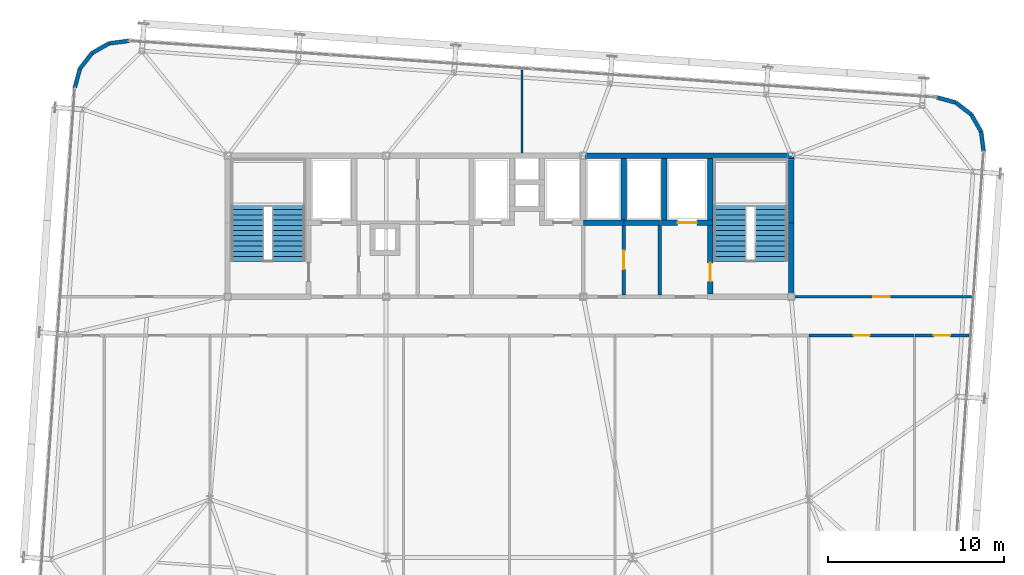
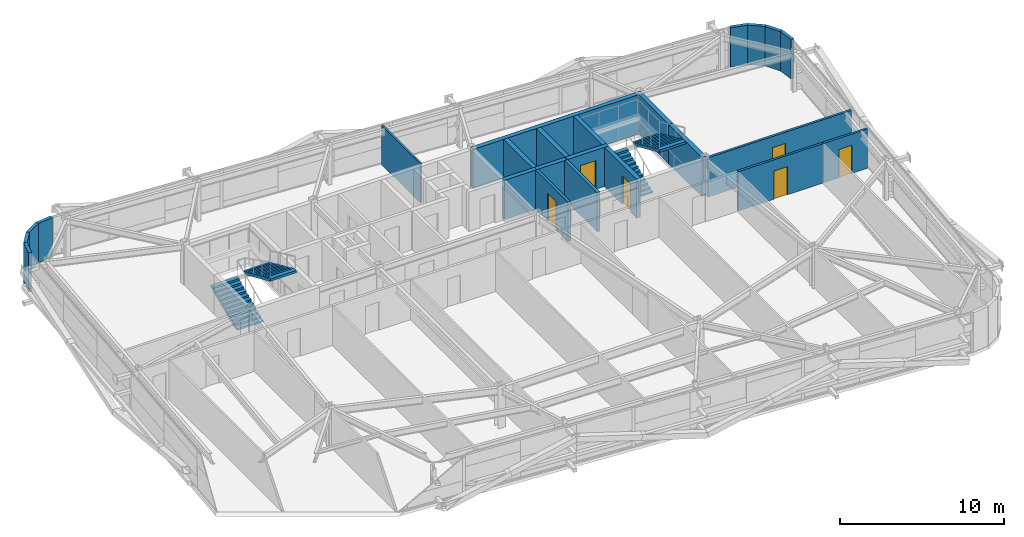
# One storey, part 37 of 39: 24 walls, 6 doors, 4 stair flights, 6 openings, 2 elements without a shape of their own.
"""IFC4 building model written with IfcOpenShell, lengths in metres."""

from ifc_helpers import new_model, si_unit, direction, frame, frame_2d, origin, place, context, subcontext, project, spatial, polyline, rectangle, outline, extrude, source, transform, mapped, material, layer, layer_set, type_object, element, fill, aggregate, save


model = new_model("IFC4")

# Units and contexts
model_context = context("Model", 3, precision=1e-05, world=origin(), true_north=direction((0.0, 1.0)))
body_context = subcontext(model_context, "Body", "Model", "MODEL_VIEW")
ifc_project = project(units=[si_unit("LENGTHUNIT", "METRE"), si_unit("AREAUNIT", "SQUARE_METRE"), si_unit("VOLUMEUNIT", "CUBIC_METRE"), si_unit("PLANEANGLEUNIT", "RADIAN"), si_unit("MASSUNIT", "GRAM", prefix="KILO")], contexts=[model_context])

# Site, building, storey
site_placement = place(None, origin())
site = spatial("IfcSite", under=ifc_project, at=site_placement, CompositionType="ELEMENT")
building_placement = place(site_placement, origin())
building = spatial("IfcBuilding", under=site, at=building_placement, Name="Taldren Reach Tower", CompositionType="ELEMENT")
storey_placement = place(building_placement, frame((0.0, 0.0, 123.550048828125)))
storey = spatial("IfcBuildingStorey", under=building, at=storey_placement, Name="L37", CompositionType="ELEMENT", Elevation=123.550048828125)

# Walls
ifc_material_1 = material(Name="Pale Champagne Anodised Aluminium Cladding", Category="aluminium")
ifc_layer_1 = layer(ifc_material_1, 0.04, Name="Pale Champagne Anodised Aluminium Cladding", Category="aluminium")
ifc_material_2 = material(Name="Mineral Wool Acoustic Insulation", Category="insulation")
ifc_layer_2 = layer(ifc_material_2, 0.06, Name="Mineral Wool Acoustic Insulation", Category="insulation")
ifc_material_3 = material(Name="Steel Gr 350 (C350L0)", Category="steel")
ifc_layer_3 = layer(ifc_material_3, 0.12, Name="Steel Gr 350 (C350L0)", Category="steel")
ifc_layer_set_1 = layer_set([ifc_layer_1, ifc_layer_2, ifc_layer_3], Name="Pale Champagne Aluminium Cladding and Steel Gr 350 Stud Framing")
wall_type_1 = type_object("IfcWallType", Name="EW-CRN-220", PredefinedType="SOLIDWALL", material=ifc_layer_set_1)
shared_shape_1 = source(origin(), body_context, "Body", "SweptSolid", [
    extrude(rectangle(XDim=1.115966796875, YDim=0.219970703125, at=frame_2d((0.55810546875, 0.0))), origin(), (0.0, 0.0, 1.0), 2.929931640625),
])
for number, where, z_axis, x_axis, name in (
    (1, (61.923583984375, 32.261962890625, 0.0), (0.0, 0.0, 1.0), (-0.126242535829, 0.991999406324, 0.0), "Rounded-corner pale-metal facade wall L37-NE1"),
    (2, (61.78271484375, 33.368896484375, 0.0), (0.0, 0.0, 1.0), (-0.496138938357, 0.868243142124, 0.0), "Rounded-corner pale-metal facade wall L37-NE2"),
    (3, (61.22900390625, 34.337890625, 0.0), (0.0, 0.0, 1.0), (-0.790716874741, 0.612182018684, 0.0), "Rounded-corner pale-metal facade wall L37-NE3"),
    (4, (60.3466796875, 35.02099609375, 0.0), (0.0, 0.0, 1.0), (-0.964804199372, 0.262969307856, 0.0), "Rounded-corner pale-metal facade wall L37-NE4"),
    (5, (13.382080078125, 38.5234375, 0.0), (0.0, 0.0, 1.0), (-0.991999406324, -0.126242535829, 0.0), "Rounded-corner pale-metal facade wall L37-NW1"),
    (6, (11.306396484375, 37.828857421875, 0.0), (0.0, 0.0, 1.0), (-0.612318787668, -0.790610967714, 0.0), "Rounded-corner pale-metal facade wall L37-NW3"),
    (7, (10.623046875, 36.946533203125, 0.0), (0.0, 0.0, 1.0), (-0.262969307856, -0.964804199372, 0.0), "Rounded-corner pale-metal facade wall L37-NW4"),
):
    element("IfcWall", number, at=place(storey_placement, frame(where, z_axis=z_axis, x_axis=x_axis)), inside=storey, type_object=wall_type_1, Name=name, PredefinedType="SOLIDWALL", context=body_context, shape_type="MappedRepresentation", body=[
        mapped(shared_shape_1, transform((0.0, 0.0, 0.0), scale=1.0)),
    ])
shared_shape_2 = source(origin(), body_context, "Body", "SweptSolid", [
    extrude(rectangle(XDim=1.11572265625, YDim=0.219970703125, at=frame_2d((0.557861328125, 0.0))), origin(), (0.0, 0.0, 1.0), 2.929931640625),
])
wall_1_placement = place(storey_placement, frame((12.275146484375, 38.382568359375, 0.0), z_axis=(0.0, 0.0, 1.0), x_axis=(-0.868189279113, -0.496233186751, 0.0)))
element("IfcWall", 8, at=wall_1_placement, inside=storey, type_object=wall_type_1, Name="Rounded-corner pale-metal facade wall L37-NW2", PredefinedType="SOLIDWALL", context=body_context, shape_type="MappedRepresentation", body=[
    mapped(shared_shape_2, transform((0.0, 0.0, 0.0), scale=1.0)),
])

# Wall, opening, door
ifc_material_4 = material(Name="Fire-Rated Acoustic Plasterboard Stud Wall", Category="gypsum")
ifc_layer_4 = layer(ifc_material_4, 0.159912109375)
ifc_layer_set_2 = layer_set([ifc_layer_4], Name="Fire-Rated Acoustic Plasterboard Stud Wall")
wall_type_2 = type_object("IfcWallType", Name="IW-FIRE-160", PredefinedType="PARTITIONING", material=ifc_layer_set_2)
shared_shape_3 = source(origin(), body_context, "Body", "SweptSolid", [
    extrude(rectangle(XDim=5.95947265625, YDim=0.159912109375, at=frame_2d((2.979736328125, 0.0))), origin(), (0.0, 0.0, 1.0), 2.929931640625),
])
wall_2_placement = place(storey_placement, frame((57.979736328125, 21.800048828125, 0.0), z_axis=(0.0, 0.0, 1.0), x_axis=(-1.0, 0.0, 0.0)))
wall_2 = element("IfcWall", 9, at=wall_2_placement, inside=storey, type_object=wall_type_2, Name="Interior Partition Wall W-INT-L37-054", PredefinedType="PARTITIONING", context=body_context, shape_type="MappedRepresentation", body=[
    mapped(shared_shape_3, transform((0.0, 0.0, 0.0), scale=1.0)),
])
shared_shape_4 = source(origin(), body_context, "Body", "SweptSolid", [
    extrude(rectangle(XDim=0.919921875, YDim=2.10009765625, at=frame_2d((0.4599609375, 1.050048828125))), frame((0.0, 0.08984375, 0.0), z_axis=(0.0, -1.0, 0.0), x_axis=(1.0, 0.0, 0.0)), (0.0, 0.0, 1.0), 0.179931640625),
])
opening_1_placement = place(wall_2_placement, frame((2.519775390625, 0.0, 0.0)))
opening_1 = element("IfcOpeningElement", 10, at=opening_1_placement, cuts=wall_2, Name="Opening DI-092", PredefinedType="OPENING", context=body_context, shape_type="MappedRepresentation", body=[
    mapped(shared_shape_4, transform((0.0, 0.0, 0.0), scale=1.0)),
])
ifc_material_5 = material(Name="Solid-Core Timber Suite Door", Category="wood")
door_type_1 = type_object("IfcDoorType", Name="ID-INT-092", OperationType="NOTDEFINED", PredefinedType="DOOR", material=ifc_material_5)
shared_shape_5 = source(origin(), body_context, "Body", "SweptSolid", [
    extrude(rectangle(XDim=0.919921875, YDim=2.10009765625, at=frame_2d((0.4599609375, 1.050048828125))), frame((0.0, 0.02490234375, 0.0), z_axis=(0.0, -1.0, 0.0), x_axis=(1.0, 0.0, 0.0)), (0.0, 0.0, 1.0), 0.050048828125),
])
door_1_placement = place(opening_1_placement, origin())
door_1 = element("IfcDoor", 11, at=door_1_placement, inside=storey, type_object=door_type_1, Name="Interior Door DR-L37-019", OperationType="SINGLE_SWING_RIGHT", OverallHeight=2.10009765625, OverallWidth=0.919921875, PredefinedType="DOOR", context=body_context, shape_type="MappedRepresentation", body=[
    mapped(shared_shape_5, transform((0.0, 0.0, 0.0), scale=1.0)),
])
fill(opening_1, door_1)

# Walls
ifc_material_6 = material(Name="Concrete S65 (65 MPa)", Category="concrete")
ifc_layer_5 = layer(ifc_material_6, 0.300048828125)
ifc_layer_set_3 = layer_set([ifc_layer_5], Name="Concrete S65 (65 MPa)")
wall_type_3 = type_object("IfcWallType", Name="IW-CORE-300", PredefinedType="SHEAR", material=ifc_layer_set_3)
shared_shape_6 = source(origin(), body_context, "Body", "SweptSolid", [
    extrude(rectangle(XDim=11.949951171875, YDim=0.300048828125, at=frame_2d((5.97509765625, 0.0))), origin(), (0.0, 0.0, 1.0), 2.929931640625),
])
wall_3_placement = place(storey_placement, frame((39.199951171875, 32.0, 0.0), z_axis=(0.0, 0.0, 1.0), x_axis=(1.0, 0.0, 0.0)))
element("IfcWall", 12, at=wall_3_placement, inside=storey, type_object=wall_type_3, Name="Rear Core Shear Wall W-CORE-L37-NORTH3", PredefinedType="SHEAR", context=body_context, shape_type="MappedRepresentation", body=[
    mapped(shared_shape_6, transform((0.0, 0.0, 0.0), scale=1.0)),
])
shared_shape_7 = source(origin(), body_context, "Body", "SweptSolid", [
    extrude(rectangle(XDim=4.050048828125, YDim=0.300048828125, at=frame_2d((2.02490234375, 0.0))), origin(), (0.0, 0.0, 1.0), 2.929931640625),
])
wall_4_placement = place(storey_placement, frame((51.0, 24.14990234375, 0.0), z_axis=(0.0, 0.0, 1.0), x_axis=(0.0, 1.0, 0.0)))
element("IfcWall", 13, at=wall_4_placement, inside=storey, type_object=wall_type_3, Name="Rear Core Shear Wall W-CORE-L37-EAST1", PredefinedType="SHEAR", context=body_context, shape_type="MappedRepresentation", body=[
    mapped(shared_shape_7, transform((0.0, 0.0, 0.0), scale=1.0)),
])
shared_shape_8 = source(origin(), body_context, "Body", "SweptSolid", [
    extrude(rectangle(XDim=3.650146484375, YDim=0.300048828125, at=frame_2d((1.8251953125, 0.0))), origin(), (0.0, 0.0, 1.0), 2.929931640625),
])
wall_5_placement = place(storey_placement, frame((51.0, 28.199951171875, 0.0), z_axis=(0.0, 0.0, 1.0), x_axis=(0.0, 1.0, 0.0)))
element("IfcWall", 14, at=wall_5_placement, inside=storey, type_object=wall_type_3, Name="Rear Core Shear Wall W-CORE-L37-EAST2", PredefinedType="SHEAR", context=body_context, shape_type="MappedRepresentation", body=[
    mapped(shared_shape_8, transform((0.0, 0.0, 0.0), scale=1.0)),
])
shared_shape_9 = source(origin(), body_context, "Body", "SweptSolid", [
    extrude(rectangle(XDim=3.5, YDim=0.300048828125, at=frame_2d((1.75, 0.0))), origin(), (0.0, 0.0, 1.0), 2.929931640625),
])
for number, where, z_axis, x_axis, name in (
    (15, (46.39990234375, 31.85009765625, 0.0), (0.0, 0.0, 1.0), (0.0, -1.0, 0.0), "Rear Core Shear Wall W-INT-L37-008"),
    (16, (43.800048828125, 31.85009765625, 0.0), (0.0, 0.0, 1.0), (0.0, -1.0, 0.0), "Rear Core Shear Wall W-INT-L37-012"),
    (17, (41.5, 28.35009765625, 0.0), (0.0, 0.0, 1.0), (0.0, 1.0, 0.0), "Rear Core Shear Wall W-INT-L37-034"),
):
    element("IfcWall", number, at=place(storey_placement, frame(where, z_axis=z_axis, x_axis=x_axis)), inside=storey, type_object=wall_type_3, Name=name, PredefinedType="SHEAR", context=body_context, shape_type="MappedRepresentation", body=[
        mapped(shared_shape_9, transform((0.0, 0.0, 0.0), scale=1.0)),
    ])

# Wall, opening, door
shared_shape_10 = source(origin(), body_context, "Body", "SweptSolid", [
    extrude(rectangle(XDim=3.900146484375, YDim=0.300048828125, at=frame_2d((1.9501953125, 0.0))), origin(), (0.0, 0.0, 1.0), 2.929931640625),
])
wall_6_placement = place(storey_placement, frame((46.39990234375, 28.050048828125, 0.0), z_axis=(0.0, 0.0, 1.0), x_axis=(0.0, -1.0, 0.0)))
wall_6 = element("IfcWall", 18, at=wall_6_placement, inside=storey, type_object=wall_type_3, Name="Rear Core Shear Wall W-INT-L37-009", PredefinedType="SHEAR", context=body_context, shape_type="MappedRepresentation", body=[
    mapped(shared_shape_10, transform((0.0, 0.0, 0.0), scale=1.0)),
])
shared_shape_11 = source(origin(), body_context, "Body", "SweptSolid", [
    extrude(rectangle(XDim=1.050048828125, YDim=2.10009765625, at=frame_2d((0.52490234375, 1.050048828125))), frame((0.0, 0.16015625, 0.0), z_axis=(0.0, -1.0, 0.0), x_axis=(1.0, 0.0, 0.0)), (0.0, 0.0, 1.0), 0.320068359375),
])
opening_2_placement = place(wall_6_placement, frame((2.125, 0.0, 0.0)))
opening_2 = element("IfcOpeningElement", 19, at=opening_2_placement, cuts=wall_6, Name="Opening DF-105", PredefinedType="OPENING", context=body_context, shape_type="MappedRepresentation", body=[
    mapped(shared_shape_11, transform((0.0, 0.0, 0.0), scale=1.0)),
])
ifc_material_7 = material(Name="Fire-Rated Care and Stair Exit Door")
door_type_2 = type_object("IfcDoorType", Name="ID-FIRE-105", OperationType="NOTDEFINED", PredefinedType="DOOR", material=ifc_material_7)
shared_shape_12 = source(origin(), body_context, "Body", "SweptSolid", [
    extrude(rectangle(XDim=1.050048828125, YDim=2.10009765625, at=frame_2d((0.52490234375, 1.050048828125))), frame((0.0, 0.02490234375, 0.0), z_axis=(0.0, -1.0, 0.0), x_axis=(1.0, 0.0, 0.0)), (0.0, 0.0, 1.0), 0.050048828125),
])
door_2_placement = place(opening_2_placement, origin())
door_2 = element("IfcDoor", 20, at=door_2_placement, inside=storey, type_object=door_type_2, Name="Fire Exit Stair Door DR-L37-003", OperationType="SINGLE_SWING_RIGHT", OverallHeight=2.10009765625, OverallWidth=1.050048828125, PredefinedType="DOOR", context=body_context, shape_type="MappedRepresentation", body=[
    mapped(shared_shape_12, transform((0.0, 0.0, 0.0), scale=1.0)),
])
fill(opening_2, door_2)

shared_shape_13 = source(origin(), body_context, "Body", "SweptSolid", [
    extrude(rectangle(XDim=2.900146484375, YDim=0.300048828125, at=frame_2d((1.4501953125, 0.0))), origin(), (0.0, 0.0, 1.0), 2.929931640625),
])
wall_7_placement = place(storey_placement, frame((43.64990234375, 28.199951171875, 0.0), z_axis=(0.0, 0.0, 1.0), x_axis=(1.0, 0.0, 0.0)))
wall_7 = element("IfcWall", 21, at=wall_7_placement, inside=storey, type_object=wall_type_3, Name="Rear Core Shear Wall W-INT-L37-011", PredefinedType="SHEAR", context=body_context, shape_type="MappedRepresentation", body=[
    mapped(shared_shape_13, transform((0.0, 0.0, 0.0), scale=1.0)),
])
shared_shape_14 = source(origin(), body_context, "Body", "SweptSolid", [
    extrude(rectangle(XDim=1.10009765625, YDim=2.14990234375, at=frame_2d((0.550048828125, 1.074951171875))), frame((0.0, 0.16015625, 0.0), z_axis=(0.0, -1.0, 0.0), x_axis=(1.0, 0.0, 0.0)), (0.0, 0.0, 1.0), 0.320068359375),
])
opening_3_placement = place(wall_7_placement, frame((0.89990234375, 0.0, 0.0)))
opening_3 = element("IfcOpeningElement", 22, at=opening_3_placement, cuts=wall_7, Name="Opening LD-FL2", PredefinedType="OPENING", context=body_context, shape_type="MappedRepresentation", body=[
    mapped(shared_shape_14, transform((0.0, 0.0, 0.0), scale=1.0)),
])
ifc_material_8 = material(Name="Stainless Steel Gr 316 Emergency Lift Landing Door", Category="steel")
door_type_3 = type_object("IfcDoorType", Name="LD-EMG-110", OperationType="SLIDING_TO_LEFT", PredefinedType="DOOR", material=ifc_material_8)
shared_shape_15 = source(origin(), body_context, "Body", "SweptSolid", [
    extrude(rectangle(XDim=1.10009765625, YDim=2.14990234375, at=frame_2d((0.550048828125, 1.074951171875))), frame((0.0, 0.02490234375, 0.0), z_axis=(0.0, -1.0, 0.0), x_axis=(1.0, 0.0, 0.0)), (0.0, 0.0, 1.0), 0.050048828125),
])
door_3_placement = place(opening_3_placement, origin())
door_3 = element("IfcDoor", 23, at=door_3_placement, inside=storey, type_object=door_type_3, Name="Lift Landing Door LD-FL2-L37", OperationType="SLIDING_TO_LEFT", OverallHeight=2.14990234375, OverallWidth=1.10009765625, PredefinedType="DOOR", context=body_context, shape_type="MappedRepresentation", body=[
    mapped(shared_shape_15, transform((0.0, 0.0, 0.0), scale=1.0)),
])
fill(opening_3, door_3)

# Wall
ifc_material_9 = material(Name="Concrete S50 (50 MPa)", Category="concrete")
ifc_layer_6 = layer(ifc_material_9, 0.199951171875)
ifc_layer_set_4 = layer_set([ifc_layer_6], Name="Concrete S50 (50 MPa)")
wall_type_4 = type_object("IfcWallType", Name="IW-CORE-200", PredefinedType="SOLIDWALL", material=ifc_layer_set_4)
shared_shape_16 = source(origin(), body_context, "Body", "SweptSolid", [
    extrude(rectangle(XDim=3.949951171875, YDim=0.199951171875, at=frame_2d((1.97509765625, 0.0))), origin(), (0.0, 0.0, 1.0), 2.929931640625),
])
wall_8_placement = place(storey_placement, frame((43.550048828125, 28.050048828125, 0.0), z_axis=(0.0, 0.0, 1.0), x_axis=(0.0, -1.0, 0.0)))
element("IfcWall", 24, at=wall_8_placement, inside=storey, type_object=wall_type_4, Name="Rear Core Shear Wall W-INT-L37-013", PredefinedType="SOLIDWALL", context=body_context, shape_type="MappedRepresentation", body=[
    mapped(shared_shape_16, transform((0.0, 0.0, 0.0), scale=1.0)),
])

# Wall, opening, door
wall_9_placement = place(storey_placement, frame((41.5, 28.050048828125, 0.0), z_axis=(0.0, 0.0, 1.0), x_axis=(0.0, -1.0, 0.0)))
wall_9 = element("IfcWall", 25, at=wall_9_placement, inside=storey, type_object=wall_type_4, Name="Rear Core Shear Wall W-INT-L37-043", PredefinedType="SOLIDWALL", context=body_context, shape_type="MappedRepresentation", body=[
    mapped(shared_shape_16, transform((0.0, 0.0, 0.0), scale=1.0)),
])
shared_shape_17 = source(origin(), body_context, "Body", "SweptSolid", [
    extrude(rectangle(XDim=1.050048828125, YDim=2.10009765625, at=frame_2d((0.52490234375, 1.050048828125))), frame((0.0, 0.10986328125, 0.0), z_axis=(0.0, -1.0, 0.0), x_axis=(1.0, 0.0, 0.0)), (0.0, 0.0, 1.0), 0.219970703125),
])
opening_4_placement = place(wall_9_placement, frame((1.425048828125, 0.0, 0.0)))
opening_4 = element("IfcOpeningElement", 26, at=opening_4_placement, cuts=wall_9, Name="Opening DF-105", PredefinedType="OPENING", context=body_context, shape_type="MappedRepresentation", body=[
    mapped(shared_shape_17, transform((0.0, 0.0, 0.0), scale=1.0)),
])
door_4_placement = place(opening_4_placement, frame((1.050048828125, 0.0, 0.0), z_axis=(0.0, 0.0, 1.0), x_axis=(-1.0, 0.0, 0.0)))
door_4 = element("IfcDoor", 27, at=door_4_placement, inside=storey, type_object=door_type_2, Name="Interior Door DR-L37-009", OperationType="SINGLE_SWING_LEFT", OverallHeight=2.10009765625, OverallWidth=1.050048828125, PredefinedType="DOOR", context=body_context, shape_type="MappedRepresentation", body=[
    mapped(shared_shape_12, transform((0.0, 0.0, 0.0), scale=1.0)),
])
fill(opening_4, door_4)

# Walls
shared_shape_18 = source(origin(), body_context, "Body", "SweptSolid", [
    extrude(rectangle(XDim=2.070068359375, YDim=0.300048828125, at=frame_2d((1.03515625, 0.0))), origin(), (0.0, 0.0, 1.0), 2.929931640625),
])
wall_10_placement = place(storey_placement, frame((41.5, 28.199951171875, 0.0), z_axis=(0.0, 0.0, 1.0), x_axis=(1.0, 0.0, 0.0)))
element("IfcWall", 28, at=wall_10_placement, inside=storey, type_object=wall_type_3, Name="Rear Core Shear Wall W-INT-L37-036", PredefinedType="SHEAR", context=body_context, shape_type="MappedRepresentation", body=[
    mapped(shared_shape_18, transform((0.0, 0.0, 0.0), scale=1.0)),
])
shared_shape_19 = source(origin(), body_context, "Body", "SweptSolid", [
    extrude(rectangle(XDim=2.300048828125, YDim=0.300048828125, at=frame_2d((1.14990234375, 0.0))), origin(), (0.0, 0.0, 1.0), 2.929931640625),
])
wall_11_placement = place(storey_placement, frame((39.199951171875, 28.199951171875, 0.0), z_axis=(0.0, 0.0, 1.0), x_axis=(1.0, 0.0, 0.0)))
element("IfcWall", 29, at=wall_11_placement, inside=storey, type_object=wall_type_3, Name="Rear Core Shear Wall W-INT-L37-035", PredefinedType="SHEAR", context=body_context, shape_type="MappedRepresentation", body=[
    mapped(shared_shape_19, transform((0.0, 0.0, 0.0), scale=1.0)),
])

# Wall, opening, door
shared_shape_20 = source(origin(), body_context, "Body", "SweptSolid", [
    extrude(rectangle(XDim=3.087158203125, YDim=0.159912109375, at=frame_2d((1.54345703125, 0.0))), origin(), (0.0, 0.0, 1.0), 2.929931640625),
])
wall_12_placement = place(storey_placement, frame((61.107421875, 21.800048828125, 0.0), z_axis=(0.0, 0.0, 1.0), x_axis=(-1.0, 0.0, 0.0)))
wall_12 = element("IfcWall", 30, at=wall_12_placement, inside=storey, type_object=wall_type_2, Name="Interior Partition Wall W-INT-L37-055", PredefinedType="PARTITIONING", context=body_context, shape_type="MappedRepresentation", body=[
    mapped(shared_shape_20, transform((0.0, 0.0, 0.0), scale=1.0)),
])
opening_5_placement = place(wall_12_placement, frame((1.08349609375, 0.0, 0.0)))
opening_5 = element("IfcOpeningElement", 31, at=opening_5_placement, cuts=wall_12, Name="Opening DI-092", PredefinedType="OPENING", context=body_context, shape_type="MappedRepresentation", body=[
    mapped(shared_shape_4, transform((0.0, 0.0, 0.0), scale=1.0)),
])
door_5_placement = place(opening_5_placement, origin())
door_5 = element("IfcDoor", 32, at=door_5_placement, inside=storey, type_object=door_type_1, Name="Interior Door DR-L37-020", OperationType="SINGLE_SWING_LEFT", OverallHeight=2.10009765625, OverallWidth=0.919921875, PredefinedType="DOOR", context=body_context, shape_type="MappedRepresentation", body=[
    mapped(shared_shape_5, transform((0.0, 0.0, 0.0), scale=1.0)),
])
fill(opening_5, door_5)

shared_shape_21 = source(origin(), body_context, "Body", "SweptSolid", [
    extrude(rectangle(XDim=10.10009765625, YDim=0.159912109375, at=frame_2d((5.050048828125, 0.0))), origin(), (0.0, 0.0, 1.0), 2.929931640625),
])
wall_13_placement = place(storey_placement, frame((51.14990234375, 24.0, 0.0), z_axis=(0.0, 0.0, 1.0), x_axis=(1.0, 0.0, 0.0)))
wall_13 = element("IfcWall", 33, at=wall_13_placement, inside=storey, type_object=wall_type_2, Name="Interior Partition Wall W-INT-L37-057", PredefinedType="PARTITIONING", context=body_context, shape_type="MappedRepresentation", body=[
    mapped(shared_shape_21, transform((0.0, 0.0, 0.0), scale=1.0)),
])
opening_6_placement = place(wall_13_placement, frame((4.525146484375, 0.0, 0.0)))
opening_6 = element("IfcOpeningElement", 34, at=opening_6_placement, cuts=wall_13, Name="Opening DI-092", PredefinedType="OPENING", context=body_context, shape_type="MappedRepresentation", body=[
    mapped(shared_shape_4, transform((0.0, 0.0, 0.0), scale=1.0)),
])
door_6_placement = place(opening_6_placement, origin())
door_6 = element("IfcDoor", 35, at=door_6_placement, inside=storey, type_object=door_type_1, Name="Interior Door DR-L37-022", OperationType="SINGLE_SWING_LEFT", OverallHeight=2.10009765625, OverallWidth=0.919921875, PredefinedType="DOOR", context=body_context, shape_type="MappedRepresentation", body=[
    mapped(shared_shape_5, transform((0.0, 0.0, 0.0), scale=1.0)),
])
fill(opening_6, door_6)

# Wall
ifc_material_10 = material(Name="Insulated Residential Stud Partition", Category="gypsum")
ifc_layer_7 = layer(ifc_material_10, 0.1201171875)
ifc_layer_set_5 = layer_set([ifc_layer_7], Name="Insulated Residential Stud Partition")
wall_type_5 = type_object("IfcWallType", Name="IW-PART-120", PredefinedType="PARTITIONING", material=ifc_layer_set_5)
shared_shape_22 = source(origin(), body_context, "Body", "SweptSolid", [
    extrude(rectangle(XDim=4.727294921875, YDim=0.1201171875, at=frame_2d((2.36376953125, 0.0))), origin(), (0.0, 0.0, 1.0), 2.929931640625),
])
wall_14_placement = place(storey_placement, frame((35.711181640625, 36.877197265625, 0.0), z_axis=(0.0, 0.0, 1.0), x_axis=(0.0, -1.0, 0.0)))
element("IfcWall", 36, at=wall_14_placement, inside=storey, type_object=wall_type_5, Name="Interior Partition Wall W-INT-L37-067", PredefinedType="PARTITIONING", context=body_context, shape_type="MappedRepresentation", body=[
    mapped(shared_shape_22, transform((0.0, 0.0, 0.0), scale=1.0)),
])

# Stair, stair flights
stair_type = type_object("IfcStairType", Name="ST-HT-315", PredefinedType="HALF_TURN_STAIR", material=ifc_material_9)
stair_1_placement = place(storey_placement, origin())
stair_1 = element("IfcStair", 37, at=stair_1_placement, inside=storey, type_object=stair_type, Name="Fire-isolated exit stair ST1 L37", PredefinedType="HALF_TURN_STAIR")
stair_flight_type = type_object("IfcStairFlightType", Name="SF-STR-315", PredefinedType="STRAIGHT", material=ifc_material_9)
stair_flight_1_placement = place(storey_placement, frame((20.139892578125, 25.989990234375, 0.0), z_axis=(0.0, 0.0, 1.0), x_axis=(0.0, 1.0, 0.0)))
stair_flight_1 = element("IfcStairFlight", 38, at=stair_flight_1_placement, type_object=stair_flight_type, Name="ST1 flight 1", NumberOfRisers=12, NumberOfTreads=11, PredefinedType="STRAIGHT", RiserHeight=0.13125, TreadLength=0.295, context=body_context, shape_type="SweptSolid", body=[
    extrude(outline(polyline([(0.0, 0.0), (0.0, 0.13134765625), (0.294921875, 0.13134765625), (0.294921875, 0.262451171875), (0.590087890625, 0.262451171875), (0.590087890625, 0.393798828125), (0.885009765625, 0.393798828125), (0.885009765625, 0.52490234375), (1.179931640625, 0.52490234375), (1.179931640625, 0.65625), (1.47509765625, 0.65625), (1.47509765625, 0.78759765625), (1.77001953125, 0.78759765625), (1.77001953125, 0.918701171875), (2.06494140625, 0.918701171875), (2.06494140625, 1.050048828125), (2.360107421875, 1.050048828125), (2.360107421875, 1.18115234375), (2.655029296875, 1.18115234375), (2.655029296875, 1.3125), (2.949951171875, 1.3125), (2.949951171875, 1.44384765625), (3.2451171875, 1.44384765625), (3.2451171875, 1.574951171875), (3.2451171875, 1.268798828125), (0.393310546875, 0.0), (0.0, 0.0)])), frame((0.0, 0.919921875, 0.0), z_axis=(0.0, -1.0, 0.0), x_axis=(1.0, 0.0, 0.0)), (0.0, 0.0, 1.0), 1.840087890625),
])
stair_flight_2_placement = place(storey_placement, frame((22.4599609375, 29.235107421875, 1.574951171875), z_axis=(0.0, 0.0, 1.0), x_axis=(0.0, -1.0, 0.0)))
stair_flight_2 = element("IfcStairFlight", 39, at=stair_flight_2_placement, type_object=stair_flight_type, Name="ST1 flight 2", NumberOfRisers=12, NumberOfTreads=11, PredefinedType="STRAIGHT", RiserHeight=0.13125, TreadLength=0.295, context=body_context, shape_type="SweptSolid", body=[
    extrude(outline(polyline([(0.0, 0.0), (0.0, 0.13134765625), (0.294921875, 0.13134765625), (0.294921875, 0.262451171875), (0.590087890625, 0.262451171875), (0.590087890625, 0.393798828125), (0.885009765625, 0.393798828125), (0.885009765625, 0.52490234375), (1.179931640625, 0.52490234375), (1.179931640625, 0.65625), (1.47509765625, 0.65625), (1.47509765625, 0.78759765625), (1.77001953125, 0.78759765625), (1.77001953125, 0.918701171875), (2.06494140625, 0.918701171875), (2.06494140625, 1.050048828125), (2.360107421875, 1.050048828125), (2.360107421875, 1.18115234375), (2.655029296875, 1.18115234375), (2.655029296875, 1.3125), (2.949951171875, 1.3125), (2.949951171875, 1.44384765625), (3.2451171875, 1.44384765625), (3.2451171875, 1.574951171875), (3.2451171875, 1.268798828125), (0.393310546875, 0.0), (0.0, 0.0)])), frame((0.0, 0.919921875, 0.0), z_axis=(0.0, -1.0, 0.0), x_axis=(1.0, 0.0, 0.0)), (0.0, 0.0, 1.0), 1.840087890625),
])
aggregate(stair_1, [stair_flight_1, stair_flight_2])

stair_2_placement = place(storey_placement, origin())
stair_2 = element("IfcStair", 40, at=stair_2_placement, inside=storey, type_object=stair_type, Name="Fire-isolated exit stair ST2 L37", PredefinedType="HALF_TURN_STAIR")
stair_flight_3_placement = place(storey_placement, frame((47.5400390625, 25.989990234375, 0.0), z_axis=(0.0, 0.0, 1.0), x_axis=(0.0, 1.0, 0.0)))
stair_flight_3 = element("IfcStairFlight", 41, at=stair_flight_3_placement, type_object=stair_flight_type, Name="ST2 flight 1", NumberOfRisers=12, NumberOfTreads=11, PredefinedType="STRAIGHT", RiserHeight=0.13125, TreadLength=0.295, context=body_context, shape_type="SweptSolid", body=[
    extrude(outline(polyline([(0.0, 0.0), (0.0, 0.13134765625), (0.294921875, 0.13134765625), (0.294921875, 0.262451171875), (0.590087890625, 0.262451171875), (0.590087890625, 0.393798828125), (0.885009765625, 0.393798828125), (0.885009765625, 0.52490234375), (1.179931640625, 0.52490234375), (1.179931640625, 0.65625), (1.47509765625, 0.65625), (1.47509765625, 0.78759765625), (1.77001953125, 0.78759765625), (1.77001953125, 0.918701171875), (2.06494140625, 0.918701171875), (2.06494140625, 1.050048828125), (2.360107421875, 1.050048828125), (2.360107421875, 1.18115234375), (2.655029296875, 1.18115234375), (2.655029296875, 1.3125), (2.949951171875, 1.3125), (2.949951171875, 1.44384765625), (3.2451171875, 1.44384765625), (3.2451171875, 1.574951171875), (3.2451171875, 1.268798828125), (0.393310546875, 0.0), (0.0, 0.0)])), frame((0.0, 0.919921875, 0.0), z_axis=(0.0, -1.0, 0.0), x_axis=(1.0, 0.0, 0.0)), (0.0, 0.0, 1.0), 1.840087890625),
])
stair_flight_4_placement = place(storey_placement, frame((49.860107421875, 29.235107421875, 1.574951171875), z_axis=(0.0, 0.0, 1.0), x_axis=(0.0, -1.0, 0.0)))
stair_flight_4 = element("IfcStairFlight", 42, at=stair_flight_4_placement, type_object=stair_flight_type, Name="ST2 flight 2", NumberOfRisers=12, NumberOfTreads=11, PredefinedType="STRAIGHT", RiserHeight=0.13125, TreadLength=0.295, context=body_context, shape_type="SweptSolid", body=[
    extrude(outline(polyline([(0.0, 0.0), (0.0, 0.13134765625), (0.294921875, 0.13134765625), (0.294921875, 0.262451171875), (0.590087890625, 0.262451171875), (0.590087890625, 0.393798828125), (0.885009765625, 0.393798828125), (0.885009765625, 0.52490234375), (1.179931640625, 0.52490234375), (1.179931640625, 0.65625), (1.47509765625, 0.65625), (1.47509765625, 0.78759765625), (1.77001953125, 0.78759765625), (1.77001953125, 0.918701171875), (2.06494140625, 0.918701171875), (2.06494140625, 1.050048828125), (2.360107421875, 1.050048828125), (2.360107421875, 1.18115234375), (2.655029296875, 1.18115234375), (2.655029296875, 1.3125), (2.949951171875, 1.3125), (2.949951171875, 1.44384765625), (3.2451171875, 1.44384765625), (3.2451171875, 1.574951171875), (3.2451171875, 1.268798828125), (0.393310546875, 0.0), (0.0, 0.0)])), frame((0.0, 0.919921875, 0.0), z_axis=(0.0, -1.0, 0.0), x_axis=(1.0, 0.0, 0.0)), (0.0, 0.0, 1.0), 1.840087890625),
])
aggregate(stair_2, [stair_flight_3, stair_flight_4])

save(model, "model.ifc")
